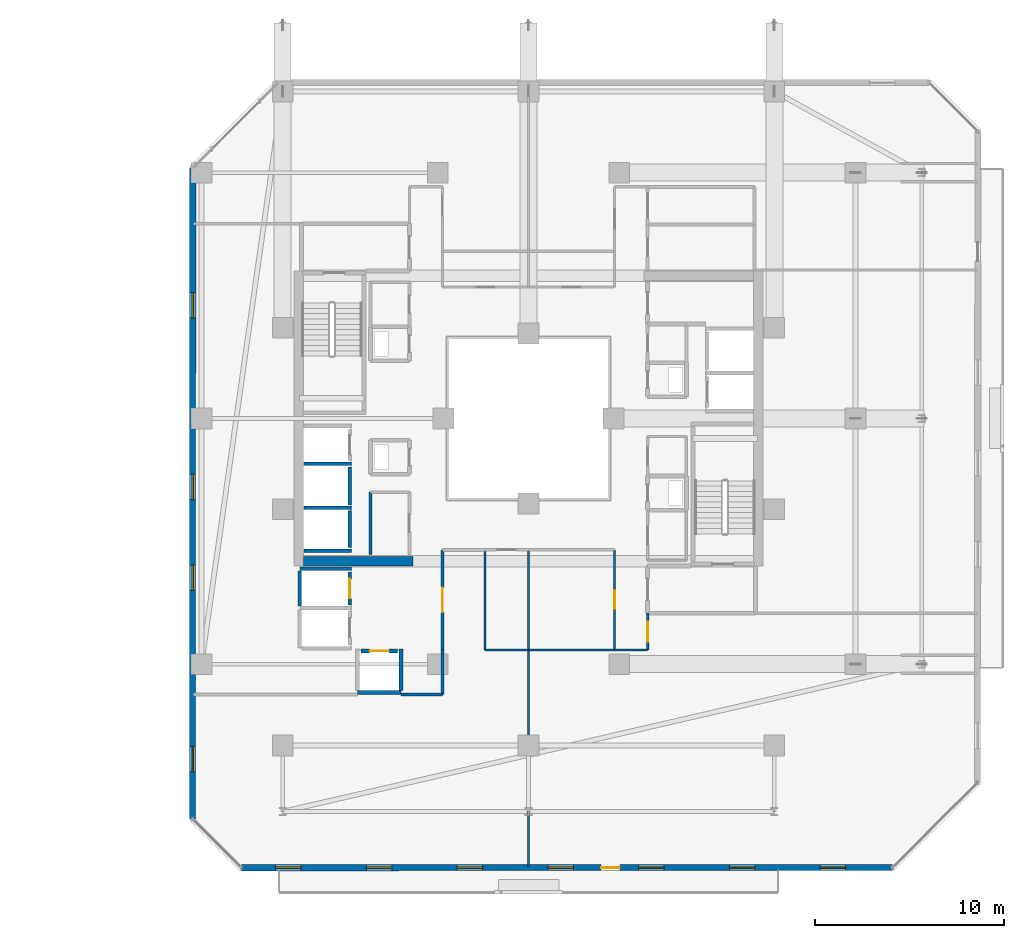
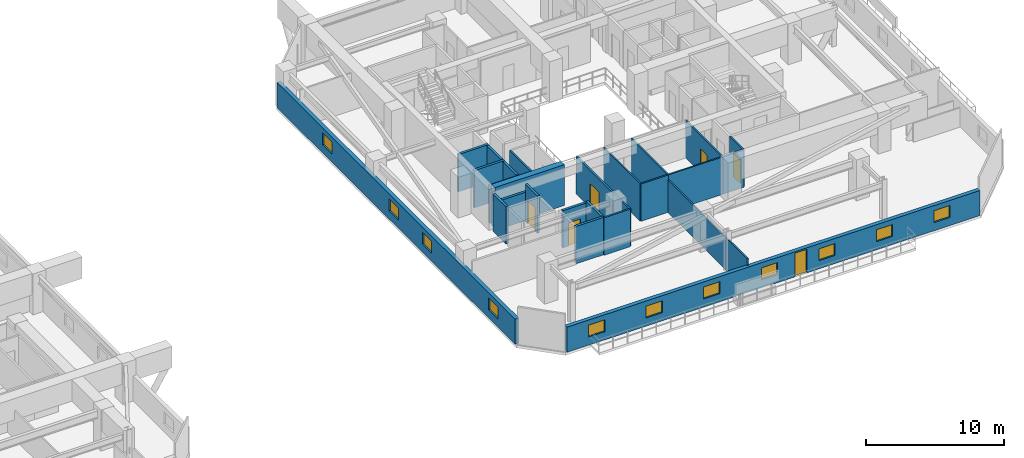
# One storey, part 24 of 35: 26 walls, 11 windows, 6 doors, 17 openings.
"""IFC4 building model written with IfcOpenShell, lengths in metres."""

from ifc_helpers import new_model, si_unit, direction, frame, frame_2d, origin, place, context, subcontext, project, spatial, rectangle, extrude, material, layer, layer_set, type_object, element, fill, save


model = new_model("IFC4")

# Units and contexts
model_context = context("Model", 3, precision=1e-05, world=origin(), true_north=direction((0.0, 1.0)))
body_context = subcontext(model_context, "Body", "Model", "MODEL_VIEW")
ifc_project = project(units=[si_unit("LENGTHUNIT", "METRE"), si_unit("AREAUNIT", "SQUARE_METRE"), si_unit("VOLUMEUNIT", "CUBIC_METRE"), si_unit("PLANEANGLEUNIT", "RADIAN"), si_unit("MASSUNIT", "GRAM", prefix="KILO")], contexts=[model_context])

# Site, building, storey
site_placement = place(None, origin())
site = spatial("IfcSite", under=ifc_project, at=site_placement, CompositionType="ELEMENT")
building_placement = place(site_placement, origin())
building = spatial("IfcBuilding", under=site, at=building_placement, Name="Thornwick Lancets Civic Towers", CompositionType="ELEMENT")
storey_placement = place(building_placement, frame((0.0, 0.0, 145.5)))
storey = spatial("IfcBuildingStorey", under=building, at=storey_placement, Name="L38", CompositionType="ELEMENT", Elevation=145.5)

# Walls
ifc_material_1 = material(Name="Concrete blockwork C40/50", Category="masonry")
ifc_layer_1 = layer(ifc_material_1, 0.199951171875, Name="Concrete blockwork C40/50")
ifc_layer_set_1 = layer_set([ifc_layer_1], Name="Concrete blockwork C40/50")
wall_type_1 = type_object("IfcWallType", Name="WALL_COMP_200", PredefinedType="STANDARD", material=ifc_layer_set_1)
wall_1_placement = place(storey_placement, frame((79.050048828125, 22.429931640625, 0.0), z_axis=(0.0, 0.0, 1.0), x_axis=(0.0, 1.0, 0.0)))
element("IfcWall", 1, at=wall_1_placement, inside=storey, type_object=wall_type_1, Name="L38 Hoistway Front Wall PL-BH2", PredefinedType="STANDARD", context=body_context, shape_type="SweptSolid", body=[
    extrude(rectangle(XDim=1.989990234375, YDim=0.199951171875, at=frame_2d((0.9951171875, 0.0))), origin(), (0.0, 0.0, 1.0), 3.300048828125),
])
wall_2_placement = place(storey_placement, frame((79.050048828125, 20.179931640625, 0.0), z_axis=(0.0, 0.0, 1.0), x_axis=(0.0, 1.0, 0.0)))
element("IfcWall", 2, at=wall_2_placement, inside=storey, type_object=wall_type_1, Name="L38 Hoistway Front Wall PL-BH3", PredefinedType="STANDARD", context=body_context, shape_type="SweptSolid", body=[
    extrude(rectangle(XDim=1.940185546875, YDim=0.199951171875, at=frame_2d((0.97021484375, 0.0))), origin(), (0.0, 0.0, 1.0), 3.300048828125),
])

# Wall, opening, door
wall_3_placement = place(storey_placement, frame((79.050048828125, 17.1298828125, 0.0), z_axis=(0.0, 0.0, 1.0), x_axis=(0.0, 1.0, 0.0)))
wall_3 = element("IfcWall", 3, at=wall_3_placement, inside=storey, type_object=wall_type_1, Name="L38 Hoistway Front Wall PL-BM1", PredefinedType="STANDARD", context=body_context, shape_type="SweptSolid", body=[
    extrude(rectangle(XDim=1.740234375, YDim=0.199951171875, at=frame_2d((0.8701171875, 0.0))), origin(), (0.0, 0.0, 1.0), 3.300048828125),
])
opening_1_placement = place(wall_3_placement, frame((0.360107421875, 0.0, 0.0)))
opening_1 = element("IfcOpeningElement", 4, at=opening_1_placement, cuts=wall_3, Name="Opening LD-PL-BM1", PredefinedType="OPENING", context=body_context, shape_type="SweptSolid", body=[
    extrude(rectangle(XDim=1.02001953125, YDim=2.06005859375, at=frame_2d((0.510009765625, 1.030029296875))), frame((0.0, 0.10986328125, 0.0), z_axis=(0.0, -1.0, 0.0), x_axis=(1.0, 0.0, 0.0)), (0.0, 0.0, 1.0), 0.219970703125),
])
ifc_material_2 = material(Name="Brushed bronze stainless steel", Category="steel")
door_type_1 = type_object("IfcDoorType", Name="DOOR_LIFT_SLIDE", OperationType="SLIDING_TO_LEFT", PredefinedType="DOOR", material=ifc_material_2)
door_1_placement = place(opening_1_placement, origin())
door_1 = element("IfcDoor", 5, at=door_1_placement, inside=storey, type_object=door_type_1, Name="L38 Sliding Lift Landing Door LD-PL-BM1", OperationType="SLIDING_TO_LEFT", OverallHeight=2.06005859375, OverallWidth=1.02001953125, PredefinedType="DOOR", context=body_context, shape_type="SweptSolid", body=[
    extrude(rectangle(XDim=1.02001953125, YDim=2.06005859375, at=frame_2d((0.510009765625, 1.030029296875))), frame((0.0, 0.02490234375, 0.0), z_axis=(0.0, -1.0, 0.0), x_axis=(1.0, 0.0, 0.0)), (0.0, 0.0, 1.0), 0.050048828125),
])
fill(opening_1, door_1)

wall_4_placement = place(storey_placement, frame((79.6298828125, 14.699951171875, 0.0), z_axis=(0.0, 0.0, 1.0), x_axis=(1.0, 0.0, 0.0)))
wall_4 = element("IfcWall", 6, at=wall_4_placement, inside=storey, type_object=wall_type_1, Name="L38 Hoistway Front Wall PL-BM3", PredefinedType="STANDARD", context=body_context, shape_type="SweptSolid", body=[
    extrude(rectangle(XDim=1.940185546875, YDim=0.199951171875, at=frame_2d((0.97021484375, 0.0))), origin(), (0.0, 0.0, 1.0), 3.300048828125),
])
opening_2_placement = place(wall_4_placement, frame((0.4599609375, 0.0, 0.0)))
opening_2 = element("IfcOpeningElement", 7, at=opening_2_placement, cuts=wall_4, Name="Opening LD-PL-BM3", PredefinedType="OPENING", context=body_context, shape_type="SweptSolid", body=[
    extrude(rectangle(XDim=1.02001953125, YDim=2.06005859375, at=frame_2d((0.510009765625, 1.030029296875))), frame((0.0, 0.10986328125, 0.0), z_axis=(0.0, -1.0, 0.0), x_axis=(1.0, 0.0, 0.0)), (0.0, 0.0, 1.0), 0.219970703125),
])
door_2_placement = place(opening_2_placement, origin())
door_2 = element("IfcDoor", 8, at=door_2_placement, inside=storey, type_object=door_type_1, Name="L38 Sliding Lift Landing Door LD-PL-BM3", OperationType="SLIDING_TO_LEFT", OverallHeight=2.06005859375, OverallWidth=1.02001953125, PredefinedType="DOOR", context=body_context, shape_type="SweptSolid", body=[
    extrude(rectangle(XDim=1.02001953125, YDim=2.06005859375, at=frame_2d((0.510009765625, 1.030029296875))), frame((0.0, 0.02490234375, 0.0), z_axis=(0.0, -1.0, 0.0), x_axis=(1.0, 0.0, 0.0)), (0.0, 0.0, 1.0), 0.050048828125),
])
fill(opening_2, door_2)

# Walls
for number, where, z_axis, x_axis, name in (
    (9, (76.612060546875, 24.60009765625, 0.0), (0.0, 0.0, 1.0), (1.0, 0.0, 0.0), "L38 Hoistway Shaft Wall FL-B2 S"),
    (10, (76.612060546875, 22.27490234375, 0.0), (0.0, 0.0, 1.0), (1.0, 0.0, 0.0), "L38 Hoistway Shaft Wall PL-BH2 S"),
    (11, (76.612060546875, 20.0, 0.0), (0.0, 0.0, 1.0), (1.0, 0.0, 0.0), "L38 Hoistway Shaft Wall PL-BH3 S"),
):
    element("IfcWall", number, at=place(storey_placement, frame(where, z_axis=z_axis, x_axis=x_axis)), inside=storey, type_object=wall_type_1, Name=name, PredefinedType="STANDARD", context=body_context, shape_type="SweptSolid", body=[
        extrude(rectangle(XDim=2.535888671875, YDim=0.199951171875, at=frame_2d((1.26806640625, 0.0))), origin(), (0.0, 0.0, 1.0), 3.300048828125),
    ])
wall_5_placement = place(storey_placement, frame((76.402099609375, 19.050048828125, 0.0), z_axis=(0.0, 0.0, 1.0), x_axis=(1.0, 0.0, 0.0)))
element("IfcWall", 12, at=wall_5_placement, inside=storey, type_object=wall_type_1, Name="L38 Hoistway Shaft Wall PL-BM1 N", PredefinedType="STANDARD", context=body_context, shape_type="SweptSolid", body=[
    extrude(rectangle(XDim=2.745849609375, YDim=0.199951171875, at=frame_2d((1.373046875, 0.0))), origin(), (0.0, 0.0, 1.0), 2.5048828125),
])
wall_6_placement = place(storey_placement, frame((76.39990234375, 17.08203125, 0.0), z_axis=(0.0, 0.0, 1.0), x_axis=(0.0, 1.0, 0.0)))
element("IfcWall", 13, at=wall_6_placement, inside=storey, type_object=wall_type_1, Name="L38 Hoistway Shaft Wall PL-BM1 W", PredefinedType="STANDARD", context=body_context, shape_type="SweptSolid", body=[
    extrude(rectangle(XDim=1.85595703125, YDim=0.199951171875, at=frame_2d((0.927978515625, 0.0))), origin(), (0.0, 0.0, 1.0), 3.300048828125),
])
wall_7_placement = place(storey_placement, frame((79.451904296875, 12.5, 0.0), z_axis=(0.0, 0.0, 1.0), x_axis=(1.0, 0.0, 0.0)))
element("IfcWall", 14, at=wall_7_placement, inside=storey, type_object=wall_type_1, Name="L38 Hoistway Shaft Wall PL-BM3 S", PredefinedType="STANDARD", context=body_context, shape_type="SweptSolid", body=[
    extrude(rectangle(XDim=2.296142578125, YDim=0.199951171875, at=frame_2d((1.14794921875, 0.0))), origin(), (0.0, 0.0, 1.0), 3.300048828125),
])
wall_8_placement = place(storey_placement, frame((81.75, 12.612060546875, 0.0), z_axis=(0.0, 0.0, 1.0), x_axis=(0.0, 1.0, 0.0)))
element("IfcWall", 15, at=wall_8_placement, inside=storey, type_object=wall_type_1, Name="L38 Hoistway Shaft Wall PL-BM3 E", PredefinedType="STANDARD", context=body_context, shape_type="SweptSolid", body=[
    extrude(rectangle(XDim=2.18603515625, YDim=0.199951171875, at=frame_2d((1.093017578125, 0.0))), origin(), (0.0, 0.0, 1.0), 3.300048828125),
])
ifc_material_3 = material(Name="Concrete C50/60", Category="concrete")
ifc_layer_2 = layer(ifc_material_3, 0.5, Name="Concrete C50/60")
ifc_layer_set_2 = layer_set([ifc_layer_2], Name="Concrete C50/60")
wall_type_2 = type_object("IfcWallType", Name="WALL_CORE_500", PredefinedType="SHEAR", material=ifc_layer_set_2)
wall_9_placement = place(storey_placement, frame((76.60009765625, 19.449951171875, 0.0), z_axis=(0.0, 0.0, 1.0), x_axis=(1.0, 0.0, 0.0)))
element("IfcWall", 16, at=wall_9_placement, inside=storey, type_object=wall_type_2, Name="L38 Split Core B2 Shear Wall S", PredefinedType="SHEAR", context=body_context, shape_type="SweptSolid", body=[
    extrude(rectangle(XDim=5.7998046875, YDim=0.5, at=frame_2d((2.89990234375, 0.0))), origin(), (0.0, 0.0, 1.0), 3.60009765625),
])

# Wall, openings, door, windows
ifc_material_4 = material(Name="Insulated buff terracotta rainscreen on concrete C40/50", Category="masonry")
ifc_layer_3 = layer(ifc_material_4, 0.320068359375, Name="Insulated buff terracotta rainscreen on concrete C40/50")
ifc_layer_set_3 = layer_set([ifc_layer_3], Name="Insulated buff terracotta rainscreen on concrete C40/50")
wall_type_3 = type_object("IfcWallType", Name="WALL_EXT_TERRA_320", PredefinedType="STANDARD", material=ifc_layer_set_3)
wall_10_placement = place(storey_placement, frame((73.318603515625, 3.2353515625, 0.0), z_axis=(0.0, 0.0, 1.0), x_axis=(0.999999983007, 0.000184351399, 0.0)))
wall_10 = element("IfcWall", 17, at=wall_10_placement, inside=storey, type_object=wall_type_3, Name="L38 Tower B Terracotta Facade Wall E0", PredefinedType="STANDARD", context=body_context, shape_type="SweptSolid", body=[
    extrude(rectangle(XDim=34.432373046875, YDim=0.320068359375, at=frame_2d((17.21630859375, 0.0))), origin(), (0.0, 0.0, 1.0), 2.219970703125),
])
opening_3_placement = place(wall_10_placement, frame((19.01611328125, 0.0, 0.0)))
opening_3 = element("IfcOpeningElement", 18, at=opening_3_placement, cuts=wall_10, Name="Opening D-BL-L38-BS", PredefinedType="OPENING", context=body_context, shape_type="SweptSolid", body=[
    extrude(rectangle(XDim=1.0, YDim=2.080078125, at=frame_2d((0.5, 1.0400390625))), frame((0.0, 0.169921875, 0.0), z_axis=(0.0, -1.0, 0.0), x_axis=(1.0, 0.0, 0.0)), (0.0, 0.0, 1.0), 0.340087890625),
])
opening_4_placement = place(wall_10_placement, frame((1.800048828125, 0.0, 0.719970703125)))
opening_4 = element("IfcOpeningElement", 19, at=opening_4_placement, cuts=wall_10, Name="Opening WL-03", PredefinedType="OPENING", context=body_context, shape_type="SweptSolid", body=[
    extrude(rectangle(XDim=1.35009765625, YDim=1.050048828125, at=frame_2d((0.675048828125, 0.52490234375))), frame((0.0, 0.169921875, 0.0), z_axis=(0.0, -1.0, 0.0), x_axis=(1.0, 0.0, 0.0)), (0.0, 0.0, 1.0), 0.340087890625),
])
opening_5_placement = place(wall_10_placement, frame((6.60009765625, 0.0, 0.719970703125)))
opening_5 = element("IfcOpeningElement", 20, at=opening_5_placement, cuts=wall_10, Name="Opening WL-03", PredefinedType="OPENING", context=body_context, shape_type="SweptSolid", body=[
    extrude(rectangle(XDim=1.35009765625, YDim=1.050048828125, at=frame_2d((0.675048828125, 0.52490234375))), frame((0.0, 0.169921875, 0.0), z_axis=(0.0, -1.0, 0.0), x_axis=(1.0, 0.0, 0.0)), (0.0, 0.0, 1.0), 0.340087890625),
])
opening_6_placement = place(wall_10_placement, frame((11.39990234375, 0.0, 0.719970703125)))
opening_6 = element("IfcOpeningElement", 21, at=opening_6_placement, cuts=wall_10, Name="Opening WL-03", PredefinedType="OPENING", context=body_context, shape_type="SweptSolid", body=[
    extrude(rectangle(XDim=1.35009765625, YDim=1.050048828125, at=frame_2d((0.675048828125, 0.52490234375))), frame((0.0, 0.169921875, 0.0), z_axis=(0.0, -1.0, 0.0), x_axis=(1.0, 0.0, 0.0)), (0.0, 0.0, 1.0), 0.340087890625),
])
opening_7_placement = place(wall_10_placement, frame((16.199951171875, 0.0, 0.719970703125)))
opening_7 = element("IfcOpeningElement", 22, at=opening_7_placement, cuts=wall_10, Name="Opening WL-03", PredefinedType="OPENING", context=body_context, shape_type="SweptSolid", body=[
    extrude(rectangle(XDim=1.35009765625, YDim=1.050048828125, at=frame_2d((0.675048828125, 0.52490234375))), frame((0.0, 0.169921875, 0.0), z_axis=(0.0, -1.0, 0.0), x_axis=(1.0, 0.0, 0.0)), (0.0, 0.0, 1.0), 0.340087890625),
])
opening_8_placement = place(wall_10_placement, frame((21.0, 0.0, 0.719970703125)))
opening_8 = element("IfcOpeningElement", 23, at=opening_8_placement, cuts=wall_10, Name="Opening WL-03", PredefinedType="OPENING", context=body_context, shape_type="SweptSolid", body=[
    extrude(rectangle(XDim=1.35009765625, YDim=1.050048828125, at=frame_2d((0.675048828125, 0.52490234375))), frame((0.0, 0.169921875, 0.0), z_axis=(0.0, -1.0, 0.0), x_axis=(1.0, 0.0, 0.0)), (0.0, 0.0, 1.0), 0.340087890625),
])
opening_9_placement = place(wall_10_placement, frame((25.800048828125, 0.0, 0.719970703125)))
opening_9 = element("IfcOpeningElement", 24, at=opening_9_placement, cuts=wall_10, Name="Opening WL-03", PredefinedType="OPENING", context=body_context, shape_type="SweptSolid", body=[
    extrude(rectangle(XDim=1.35009765625, YDim=1.050048828125, at=frame_2d((0.675048828125, 0.52490234375))), frame((0.0, 0.169921875, 0.0), z_axis=(0.0, -1.0, 0.0), x_axis=(1.0, 0.0, 0.0)), (0.0, 0.0, 1.0), 0.340087890625),
])
opening_10_placement = place(wall_10_placement, frame((30.60009765625, 0.0, 0.719970703125)))
opening_10 = element("IfcOpeningElement", 25, at=opening_10_placement, cuts=wall_10, Name="Opening WL-03", PredefinedType="OPENING", context=body_context, shape_type="SweptSolid", body=[
    extrude(rectangle(XDim=1.35009765625, YDim=1.050048828125, at=frame_2d((0.675048828125, 0.52490234375))), frame((0.0, 0.169921875, 0.0), z_axis=(0.0, -1.0, 0.0), x_axis=(1.0, 0.0, 0.0)), (0.0, 0.0, 1.0), 0.340087890625),
])
ifc_material_5 = material(Name="Thermally broken glazed loggia doorset")
door_type_2 = type_object("IfcDoorType", Name="DOOR_BALC_1000", OperationType="NOTDEFINED", PredefinedType="DOOR", material=ifc_material_5)
door_3_placement = place(opening_3_placement, origin())
door_3 = element("IfcDoor", 26, at=door_3_placement, inside=storey, type_object=door_type_2, Name="L38 Tower B Loggia Balcony Door S", OperationType="SINGLE_SWING_LEFT", OverallHeight=2.080078125, OverallWidth=1.0, PredefinedType="DOOR", context=body_context, shape_type="SweptSolid", body=[
    extrude(rectangle(XDim=1.0, YDim=2.080078125, at=frame_2d((0.5, 1.0400390625))), frame((0.0, 0.02490234375, 0.0), z_axis=(0.0, -1.0, 0.0), x_axis=(1.0, 0.0, 0.0)), (0.0, 0.0, 1.0), 0.050048828125),
])
fill(opening_3, door_3)
ifc_material_6 = material(Name="Clear low-e double glazing clerestory lancet", Category="glass")
window_type = type_object("IfcWindowType", Name="WIN_LANCET_1350", PartitioningType="SINGLE_PANEL", PredefinedType="WINDOW", material=ifc_material_6)
window_1_placement = place(opening_4_placement, origin())
window_1 = element("IfcWindow", 27, at=window_1_placement, inside=storey, type_object=window_type, Name="L38 Tower B Staggered Lancet Window E0-1", OverallHeight=1.050048828125, OverallWidth=1.35009765625, PartitioningType="SINGLE_PANEL", PredefinedType="WINDOW", context=body_context, shape_type="SweptSolid", body=[
    extrude(rectangle(XDim=1.35009765625, YDim=1.050048828125, at=frame_2d((0.675048828125, 0.52490234375))), frame((0.0, 0.030029296875, 0.0), z_axis=(0.0, -1.0, 0.0), x_axis=(1.0, 0.0, 0.0)), (0.0, 0.0, 1.0), 0.06005859375),
])
fill(opening_4, window_1)
window_2_placement = place(opening_5_placement, origin())
window_2 = element("IfcWindow", 28, at=window_2_placement, inside=storey, type_object=window_type, Name="L38 Tower B Staggered Lancet Window E0-2", OverallHeight=1.050048828125, OverallWidth=1.35009765625, PartitioningType="SINGLE_PANEL", PredefinedType="WINDOW", context=body_context, shape_type="SweptSolid", body=[
    extrude(rectangle(XDim=1.35009765625, YDim=1.050048828125, at=frame_2d((0.675048828125, 0.52490234375))), frame((0.0, 0.030029296875, 0.0), z_axis=(0.0, -1.0, 0.0), x_axis=(1.0, 0.0, 0.0)), (0.0, 0.0, 1.0), 0.06005859375),
])
fill(opening_5, window_2)
window_3_placement = place(opening_6_placement, origin())
window_3 = element("IfcWindow", 29, at=window_3_placement, inside=storey, type_object=window_type, Name="L38 Tower B Staggered Lancet Window E0-3", OverallHeight=1.050048828125, OverallWidth=1.35009765625, PartitioningType="SINGLE_PANEL", PredefinedType="WINDOW", context=body_context, shape_type="SweptSolid", body=[
    extrude(rectangle(XDim=1.35009765625, YDim=1.050048828125, at=frame_2d((0.675048828125, 0.52490234375))), frame((0.0, 0.030029296875, 0.0), z_axis=(0.0, -1.0, 0.0), x_axis=(1.0, 0.0, 0.0)), (0.0, 0.0, 1.0), 0.06005859375),
])
fill(opening_6, window_3)
window_4_placement = place(opening_7_placement, origin())
window_4 = element("IfcWindow", 30, at=window_4_placement, inside=storey, type_object=window_type, Name="L38 Tower B Staggered Lancet Window E0-4", OverallHeight=1.050048828125, OverallWidth=1.35009765625, PartitioningType="SINGLE_PANEL", PredefinedType="WINDOW", context=body_context, shape_type="SweptSolid", body=[
    extrude(rectangle(XDim=1.35009765625, YDim=1.050048828125, at=frame_2d((0.675048828125, 0.52490234375))), frame((0.0, 0.030029296875, 0.0), z_axis=(0.0, -1.0, 0.0), x_axis=(1.0, 0.0, 0.0)), (0.0, 0.0, 1.0), 0.06005859375),
])
fill(opening_7, window_4)
window_5_placement = place(opening_8_placement, origin())
window_5 = element("IfcWindow", 31, at=window_5_placement, inside=storey, type_object=window_type, Name="L38 Tower B Staggered Lancet Window E0-5", OverallHeight=1.050048828125, OverallWidth=1.35009765625, PartitioningType="SINGLE_PANEL", PredefinedType="WINDOW", context=body_context, shape_type="SweptSolid", body=[
    extrude(rectangle(XDim=1.35009765625, YDim=1.050048828125, at=frame_2d((0.675048828125, 0.52490234375))), frame((0.0, 0.030029296875, 0.0), z_axis=(0.0, -1.0, 0.0), x_axis=(1.0, 0.0, 0.0)), (0.0, 0.0, 1.0), 0.06005859375),
])
fill(opening_8, window_5)
window_6_placement = place(opening_9_placement, origin())
window_6 = element("IfcWindow", 32, at=window_6_placement, inside=storey, type_object=window_type, Name="L38 Tower B Staggered Lancet Window E0-6", OverallHeight=1.050048828125, OverallWidth=1.35009765625, PartitioningType="SINGLE_PANEL", PredefinedType="WINDOW", context=body_context, shape_type="SweptSolid", body=[
    extrude(rectangle(XDim=1.35009765625, YDim=1.050048828125, at=frame_2d((0.675048828125, 0.52490234375))), frame((0.0, 0.030029296875, 0.0), z_axis=(0.0, -1.0, 0.0), x_axis=(1.0, 0.0, 0.0)), (0.0, 0.0, 1.0), 0.06005859375),
])
fill(opening_9, window_6)
window_7_placement = place(opening_10_placement, origin())
window_7 = element("IfcWindow", 33, at=window_7_placement, inside=storey, type_object=window_type, Name="L38 Tower B Staggered Lancet Window E0-7", OverallHeight=1.050048828125, OverallWidth=1.35009765625, PartitioningType="SINGLE_PANEL", PredefinedType="WINDOW", context=body_context, shape_type="SweptSolid", body=[
    extrude(rectangle(XDim=1.35009765625, YDim=1.050048828125, at=frame_2d((0.675048828125, 0.52490234375))), frame((0.0, 0.030029296875, 0.0), z_axis=(0.0, -1.0, 0.0), x_axis=(1.0, 0.0, 0.0)), (0.0, 0.0, 1.0), 0.06005859375),
])
fill(opening_10, window_7)

# Wall, openings, windows
wall_11_placement = place(storey_placement, frame((70.74169921875, 40.2509765625, 0.0), z_axis=(0.0, 0.0, 1.0), x_axis=(-0.000184351399, -0.999999983007, 0.0)))
wall_11 = element("IfcWall", 34, at=wall_11_placement, inside=storey, type_object=wall_type_3, Name="L38 Tower B Terracotta Facade Wall E6", PredefinedType="STANDARD", context=body_context, shape_type="SweptSolid", body=[
    extrude(rectangle(XDim=34.432373046875, YDim=0.320068359375, at=frame_2d((17.21630859375, 0.0))), origin(), (0.0, 0.0, 1.0), 2.219970703125),
])
opening_11_placement = place(wall_11_placement, frame((6.60009765625, 0.0, 0.719970703125)))
opening_11 = element("IfcOpeningElement", 35, at=opening_11_placement, cuts=wall_11, Name="Opening WL-03", PredefinedType="OPENING", context=body_context, shape_type="SweptSolid", body=[
    extrude(rectangle(XDim=1.35009765625, YDim=1.050048828125, at=frame_2d((0.675048828125, 0.52490234375))), frame((0.0, 0.169921875, 0.0), z_axis=(0.0, -1.0, 0.0), x_axis=(1.0, 0.0, 0.0)), (0.0, 0.0, 1.0), 0.340087890625),
])
opening_12_placement = place(wall_11_placement, frame((16.199951171875, 0.0, 0.719970703125)))
opening_12 = element("IfcOpeningElement", 36, at=opening_12_placement, cuts=wall_11, Name="Opening WL-03", PredefinedType="OPENING", context=body_context, shape_type="SweptSolid", body=[
    extrude(rectangle(XDim=1.35009765625, YDim=1.050048828125, at=frame_2d((0.675048828125, 0.52490234375))), frame((0.0, 0.169921875, 0.0), z_axis=(0.0, -1.0, 0.0), x_axis=(1.0, 0.0, 0.0)), (0.0, 0.0, 1.0), 0.340087890625),
])
opening_13_placement = place(wall_11_placement, frame((21.0, 0.0, 0.719970703125)))
opening_13 = element("IfcOpeningElement", 37, at=opening_13_placement, cuts=wall_11, Name="Opening WL-03", PredefinedType="OPENING", context=body_context, shape_type="SweptSolid", body=[
    extrude(rectangle(XDim=1.35009765625, YDim=1.050048828125, at=frame_2d((0.675048828125, 0.52490234375))), frame((0.0, 0.169921875, 0.0), z_axis=(0.0, -1.0, 0.0), x_axis=(1.0, 0.0, 0.0)), (0.0, 0.0, 1.0), 0.340087890625),
])
opening_14_placement = place(wall_11_placement, frame((30.60009765625, 0.0, 0.719970703125)))
opening_14 = element("IfcOpeningElement", 38, at=opening_14_placement, cuts=wall_11, Name="Opening WL-03", PredefinedType="OPENING", context=body_context, shape_type="SweptSolid", body=[
    extrude(rectangle(XDim=1.35009765625, YDim=1.050048828125, at=frame_2d((0.675048828125, 0.52490234375))), frame((0.0, 0.169921875, 0.0), z_axis=(0.0, -1.0, 0.0), x_axis=(1.0, 0.0, 0.0)), (0.0, 0.0, 1.0), 0.340087890625),
])
window_8_placement = place(opening_11_placement, origin())
window_8 = element("IfcWindow", 39, at=window_8_placement, inside=storey, type_object=window_type, Name="L38 Tower B Staggered Lancet Window E6-1", OverallHeight=1.050048828125, OverallWidth=1.35009765625, PartitioningType="SINGLE_PANEL", PredefinedType="WINDOW", context=body_context, shape_type="SweptSolid", body=[
    extrude(rectangle(XDim=1.35009765625, YDim=1.050048828125, at=frame_2d((0.675048828125, 0.52490234375))), frame((0.0, 0.030029296875, 0.0), z_axis=(0.0, -1.0, 0.0), x_axis=(1.0, 0.0, 0.0)), (0.0, 0.0, 1.0), 0.06005859375),
])
fill(opening_11, window_8)
window_9_placement = place(opening_12_placement, origin())
window_9 = element("IfcWindow", 40, at=window_9_placement, inside=storey, type_object=window_type, Name="L38 Tower B Staggered Lancet Window E6-2", OverallHeight=1.050048828125, OverallWidth=1.35009765625, PartitioningType="SINGLE_PANEL", PredefinedType="WINDOW", context=body_context, shape_type="SweptSolid", body=[
    extrude(rectangle(XDim=1.35009765625, YDim=1.050048828125, at=frame_2d((0.675048828125, 0.52490234375))), frame((0.0, 0.030029296875, 0.0), z_axis=(0.0, -1.0, 0.0), x_axis=(1.0, 0.0, 0.0)), (0.0, 0.0, 1.0), 0.06005859375),
])
fill(opening_12, window_9)
window_10_placement = place(opening_13_placement, origin())
window_10 = element("IfcWindow", 41, at=window_10_placement, inside=storey, type_object=window_type, Name="L38 Tower B Staggered Lancet Window E6-3", OverallHeight=1.050048828125, OverallWidth=1.35009765625, PartitioningType="SINGLE_PANEL", PredefinedType="WINDOW", context=body_context, shape_type="SweptSolid", body=[
    extrude(rectangle(XDim=1.35009765625, YDim=1.050048828125, at=frame_2d((0.675048828125, 0.52490234375))), frame((0.0, 0.030029296875, 0.0), z_axis=(0.0, -1.0, 0.0), x_axis=(1.0, 0.0, 0.0)), (0.0, 0.0, 1.0), 0.06005859375),
])
fill(opening_13, window_10)
window_11_placement = place(opening_14_placement, origin())
window_11 = element("IfcWindow", 42, at=window_11_placement, inside=storey, type_object=window_type, Name="L38 Tower B Staggered Lancet Window E6-4", OverallHeight=1.050048828125, OverallWidth=1.35009765625, PartitioningType="SINGLE_PANEL", PredefinedType="WINDOW", context=body_context, shape_type="SweptSolid", body=[
    extrude(rectangle(XDim=1.35009765625, YDim=1.050048828125, at=frame_2d((0.675048828125, 0.52490234375))), frame((0.0, 0.030029296875, 0.0), z_axis=(0.0, -1.0, 0.0), x_axis=(1.0, 0.0, 0.0)), (0.0, 0.0, 1.0), 0.06005859375),
])
fill(opening_14, window_11)

# Walls
ifc_material_7 = material(Name="Acoustic gypsum board partition")
ifc_layer_4 = layer(ifc_material_7, 0.1201171875, Name="Acoustic gypsum board partition")
ifc_layer_set_4 = layer_set([ifc_layer_4], Name="Acoustic gypsum board partition")
wall_type_4 = type_object("IfcWallType", Name="WALL_PART_120", PredefinedType="PARTITIONING", material=ifc_layer_set_4)
wall_12_placement = place(storey_placement, frame((88.5, 3.280029296875, 0.0), z_axis=(0.0, 0.0, 1.0), x_axis=(0.0, 1.0, 0.0)))
element("IfcWall", 43, at=wall_12_placement, inside=storey, type_object=wall_type_4, Name="L38 Partition L38-B-W1 E2", PredefinedType="PARTITIONING", context=body_context, shape_type="SweptSolid", body=[
    extrude(rectangle(XDim=11.469970703125, YDim=0.1201171875, at=frame_2d((5.73486328125, 0.0))), origin(), (0.0, 0.0, 1.0), 2.841552734375),
])
wall_13_placement = place(storey_placement, frame((88.5, 14.75, 0.0), z_axis=(0.0, 0.0, 1.0), x_axis=(1.0, 0.0, 0.0)))
element("IfcWall", 44, at=wall_13_placement, inside=storey, type_object=wall_type_4, Name="L38 Partition L38-B-W1 E3", PredefinedType="PARTITIONING", context=body_context, shape_type="SweptSolid", body=[
    extrude(rectangle(XDim=4.550048828125, YDim=0.1201171875, at=frame_2d((2.27490234375, 0.0))), origin(), (0.0, 0.0, 1.0), 3.300048828125),
])
wall_14_placement = place(storey_placement, frame((93.050048828125, 14.75, 0.0), z_axis=(0.0, 0.0, 1.0), x_axis=(1.0, 0.0, 0.0)))
element("IfcWall", 45, at=wall_14_placement, inside=storey, type_object=wall_type_4, Name="L38 Partition L38-B-W1 E4", PredefinedType="PARTITIONING", context=body_context, shape_type="SweptSolid", body=[
    extrude(rectangle(XDim=1.75, YDim=0.1201171875, at=frame_2d((0.875, 0.0))), origin(), (0.0, 0.0, 1.0), 3.300048828125),
])

# Wall, opening, door
wall_15_placement = place(storey_placement, frame((94.800048828125, 14.75, 0.0), z_axis=(0.0, 0.0, 1.0), x_axis=(0.0, 1.0, 0.0)))
wall_15 = element("IfcWall", 46, at=wall_15_placement, inside=storey, type_object=wall_type_4, Name="L38 Partition L38-B-W1 E5", PredefinedType="PARTITIONING", context=body_context, shape_type="SweptSolid", body=[
    extrude(rectangle(XDim=1.949951171875, YDim=0.1201171875, at=frame_2d((0.97509765625, 0.0))), origin(), (0.0, 0.0, 1.0), 3.300048828125),
])
opening_15_placement = place(wall_15_placement, frame((0.449951171875, 0.0, 0.0)))
opening_15 = element("IfcOpeningElement", 47, at=opening_15_placement, cuts=wall_15, Name="Opening D-L38-1743", PredefinedType="OPENING", context=body_context, shape_type="SweptSolid", body=[
    extrude(rectangle(XDim=1.050048828125, YDim=2.10009765625, at=frame_2d((0.52490234375, 1.050048828125))), frame((0.0, 0.070068359375, 0.0), z_axis=(0.0, -1.0, 0.0), x_axis=(1.0, 0.0, 0.0)), (0.0, 0.0, 1.0), 0.14013671875),
])
ifc_material_8 = material(Name="Glazed European oak executive doorset")
door_type_3 = type_object("IfcDoorType", Name="DOOR_OFFICE_1050", OperationType="NOTDEFINED", PredefinedType="DOOR", material=ifc_material_8)
door_4_placement = place(opening_15_placement, origin())
door_4 = element("IfcDoor", 48, at=door_4_placement, inside=storey, type_object=door_type_3, Name="L38 Tower B Ministry Directorate Office W1 Door", OperationType="SINGLE_SWING_RIGHT", OverallHeight=2.10009765625, OverallWidth=1.050048828125, PredefinedType="DOOR", context=body_context, shape_type="SweptSolid", body=[
    extrude(rectangle(XDim=1.050048828125, YDim=2.10009765625, at=frame_2d((0.52490234375, 1.050048828125))), frame((0.0, 0.02490234375, 0.0), z_axis=(0.0, -1.0, 0.0), x_axis=(1.0, 0.0, 0.0)), (0.0, 0.0, 1.0), 0.050048828125),
])
fill(opening_15, door_4)

# Wall
wall_16_placement = place(storey_placement, frame((88.5, 14.75, 0.0), z_axis=(0.0, 0.0, 1.0), x_axis=(0.0, 1.0, 0.0)))
element("IfcWall", 49, at=wall_16_placement, inside=storey, type_object=wall_type_4, Name="L38 Partition L38-B-W2 E1", PredefinedType="PARTITIONING", context=body_context, shape_type="SweptSolid", body=[
    extrude(rectangle(XDim=5.300048828125, YDim=0.1201171875, at=frame_2d((2.64990234375, 0.0))), origin(), (0.0, 0.0, 1.0), 3.300048828125),
])

# Wall, opening, door
wall_17_placement = place(storey_placement, frame((93.050048828125, 20.050048828125, 0.0), z_axis=(0.0, 0.0, 1.0), x_axis=(0.0, -1.0, 0.0)))
wall_17 = element("IfcWall", 50, at=wall_17_placement, inside=storey, type_object=wall_type_4, Name="L38 Partition L38-B-W2 E3", PredefinedType="PARTITIONING", context=body_context, shape_type="SweptSolid", body=[
    extrude(rectangle(XDim=5.300048828125, YDim=0.1201171875, at=frame_2d((2.64990234375, 0.0))), origin(), (0.0, 0.0, 1.0), 3.300048828125),
])
opening_16_placement = place(wall_17_placement, frame((2.175048828125, 0.0, 0.0)))
opening_16 = element("IfcOpeningElement", 51, at=opening_16_placement, cuts=wall_17, Name="Opening D-L38-1744", PredefinedType="OPENING", context=body_context, shape_type="SweptSolid", body=[
    extrude(rectangle(XDim=0.949951171875, YDim=2.10009765625, at=frame_2d((0.47509765625, 1.050048828125))), frame((0.0, 0.070068359375, 0.0), z_axis=(0.0, -1.0, 0.0), x_axis=(1.0, 0.0, 0.0)), (0.0, 0.0, 1.0), 0.14013671875),
])
ifc_material_9 = material(Name="European oak acoustic doorset")
door_type_4 = type_object("IfcDoorType", Name="DOOR_OFFICE_950", OperationType="NOTDEFINED", PredefinedType="DOOR", material=ifc_material_9)
door_5_placement = place(opening_16_placement, origin())
door_5 = element("IfcDoor", 52, at=door_5_placement, inside=storey, type_object=door_type_4, Name="L38 Tower B Statutory Research Suite Door", OperationType="SINGLE_SWING_LEFT", OverallHeight=2.10009765625, OverallWidth=0.949951171875, PredefinedType="DOOR", context=body_context, shape_type="SweptSolid", body=[
    extrude(rectangle(XDim=0.949951171875, YDim=2.10009765625, at=frame_2d((0.47509765625, 1.050048828125))), frame((0.0, 0.02490234375, 0.0), z_axis=(0.0, -1.0, 0.0), x_axis=(1.0, 0.0, 0.0)), (0.0, 0.0, 1.0), 0.050048828125),
])
fill(opening_16, door_5)

# Walls
wall_18_placement = place(storey_placement, frame((86.199951171875, 14.75, 0.0), z_axis=(0.0, 0.0, 1.0), x_axis=(0.0, 1.0, 0.0)))
element("IfcWall", 53, at=wall_18_placement, inside=storey, type_object=wall_type_4, Name="L38 Partition L38-B-W3 E1", PredefinedType="PARTITIONING", context=body_context, shape_type="SweptSolid", body=[
    extrude(rectangle(XDim=5.300048828125, YDim=0.1201171875, at=frame_2d((2.64990234375, 0.0))), origin(), (0.0, 0.0, 1.0), 3.300048828125),
])
wall_19_placement = place(storey_placement, frame((88.5, 14.75, 0.0), z_axis=(0.0, 0.0, 1.0), x_axis=(-1.0, 0.0, 0.0)))
element("IfcWall", 54, at=wall_19_placement, inside=storey, type_object=wall_type_4, Name="L38 Partition L38-B-W3 E4", PredefinedType="PARTITIONING", context=body_context, shape_type="SweptSolid", body=[
    extrude(rectangle(XDim=2.300048828125, YDim=0.1201171875, at=frame_2d((1.14990234375, 0.0))), origin(), (0.0, 0.0, 1.0), 3.300048828125),
])
ifc_material_10 = material(Name="Twin-stud acoustic gypsum board")
ifc_layer_5 = layer(ifc_material_10, 0.14990234375, Name="Twin-stud acoustic gypsum board")
ifc_layer_set_5 = layer_set([ifc_layer_5], Name="Twin-stud acoustic gypsum board")
wall_type_5 = type_object("IfcWallType", Name="WALL_PART_150", PredefinedType="PARTITIONING", material=ifc_layer_set_5)
wall_20_placement = place(storey_placement, frame((80.14990234375, 23.10009765625, 0.0), z_axis=(0.0, 0.0, 1.0), x_axis=(0.0, -1.0, 0.0)))
element("IfcWall", 55, at=wall_20_placement, inside=storey, type_object=wall_type_5, Name="L38 Partition L38-B-MWC E4", PredefinedType="PARTITIONING", context=body_context, shape_type="SweptSolid", body=[
    extrude(rectangle(XDim=3.300048828125, YDim=0.14990234375, at=frame_2d((1.64990234375, 0.0))), origin(), (0.0, 0.0, 1.0), 3.300048828125),
])

# Wall, opening, door
wall_21_placement = place(storey_placement, frame((83.949951171875, 14.75, 0.0), z_axis=(0.0, 0.0, 1.0), x_axis=(0.0, 1.0, 0.0)))
wall_21 = element("IfcWall", 56, at=wall_21_placement, inside=storey, type_object=wall_type_5, Name="L38 Partition L38-B-W4 E1", PredefinedType="PARTITIONING", context=body_context, shape_type="SweptSolid", body=[
    extrude(rectangle(XDim=5.300048828125, YDim=0.14990234375, at=frame_2d((2.64990234375, 0.0))), origin(), (0.0, 0.0, 1.0), 3.300048828125),
])
opening_17_placement = place(wall_21_placement, frame((2.0, 0.0, 0.0)))
opening_17 = element("IfcOpeningElement", 57, at=opening_17_placement, cuts=wall_21, Name="Opening D-L38-1746", PredefinedType="OPENING", context=body_context, shape_type="SweptSolid", body=[
    extrude(rectangle(XDim=1.300048828125, YDim=2.1201171875, at=frame_2d((0.64990234375, 1.06005859375))), frame((0.0, 0.0849609375, 0.0), z_axis=(0.0, -1.0, 0.0), x_axis=(1.0, 0.0, 0.0)), (0.0, 0.0, 1.0), 0.169921875),
])
ifc_material_11 = material(Name="Acoustic oak leaf-and-a-half doorset")
door_type_5 = type_object("IfcDoorType", Name="DOOR_MEET_1300", OperationType="DOUBLE_DOOR_SINGLE_SWING", PredefinedType="DOOR", material=ifc_material_11)
door_6_placement = place(opening_17_placement, origin())
door_6 = element("IfcDoor", 58, at=door_6_placement, inside=storey, type_object=door_type_5, Name="L38 Tower B Policy Briefing Room W4 Door", OperationType="DOUBLE_DOOR_SINGLE_SWING", OverallHeight=2.1201171875, OverallWidth=1.300048828125, PredefinedType="DOOR", context=body_context, shape_type="SweptSolid", body=[
    extrude(rectangle(XDim=1.300048828125, YDim=2.1201171875, at=frame_2d((0.64990234375, 1.06005859375))), frame((0.0, 0.02490234375, 0.0), z_axis=(0.0, -1.0, 0.0), x_axis=(1.0, 0.0, 0.0)), (0.0, 0.0, 1.0), 0.050048828125),
])
fill(opening_17, door_6)

# Walls
wall_22_placement = place(storey_placement, frame((81.748046875, 12.39990234375, 0.0), z_axis=(0.0, 0.0, 1.0), x_axis=(1.0, 0.0, 0.0)))
element("IfcWall", 59, at=wall_22_placement, inside=storey, type_object=wall_type_5, Name="L38 Partition L38-B-W4 E9", PredefinedType="PARTITIONING", context=body_context, shape_type="SweptSolid", body=[
    extrude(rectangle(XDim=2.201904296875, YDim=0.14990234375, at=frame_2d((1.10107421875, 0.0))), origin(), (0.0, 0.0, 1.0), 3.300048828125),
])
wall_23_placement = place(storey_placement, frame((83.949951171875, 12.39990234375, 0.0), z_axis=(0.0, 0.0, 1.0), x_axis=(0.0, 1.0, 0.0)))
element("IfcWall", 60, at=wall_23_placement, inside=storey, type_object=wall_type_5, Name="L38 Partition L38-B-W4 E10", PredefinedType="PARTITIONING", context=body_context, shape_type="SweptSolid", body=[
    extrude(rectangle(XDim=2.35009765625, YDim=0.14990234375, at=frame_2d((1.175048828125, 0.0))), origin(), (0.0, 0.0, 1.0), 3.300048828125),
])

save(model, "model.ifc")
